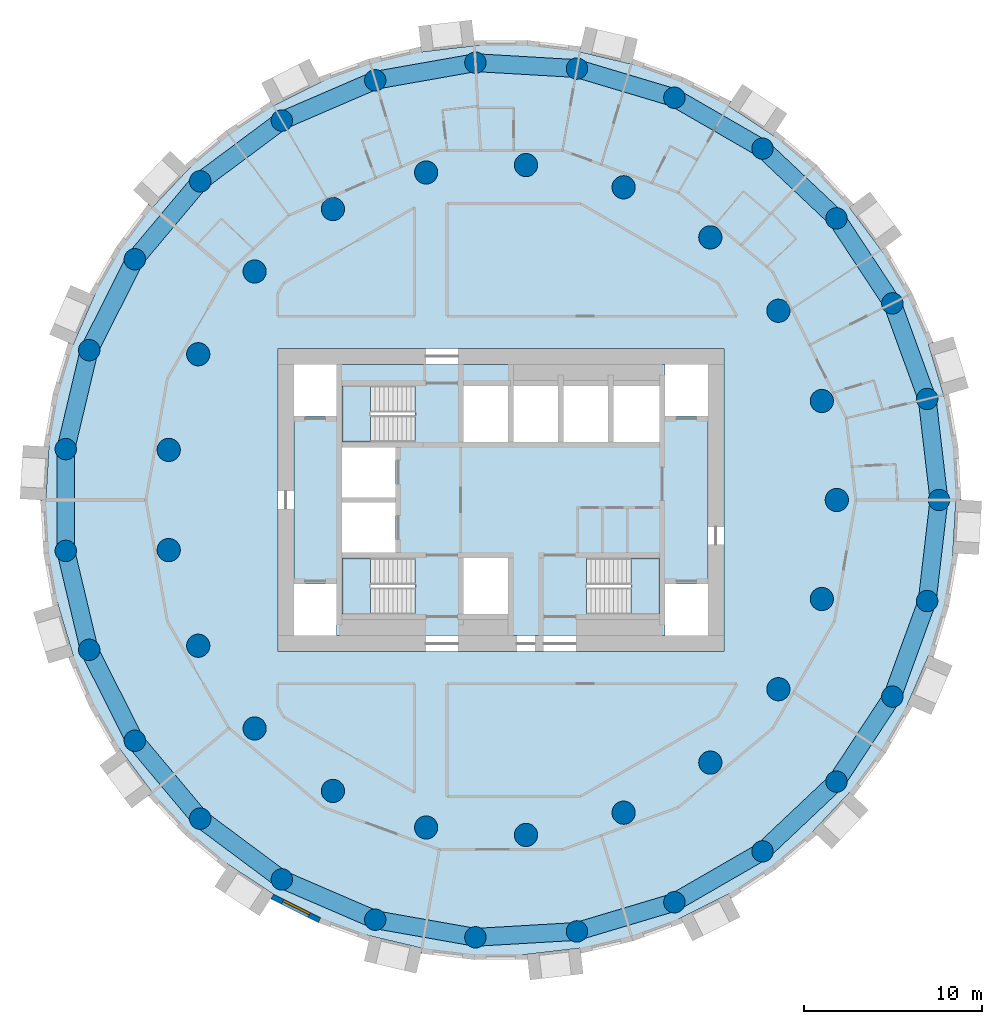
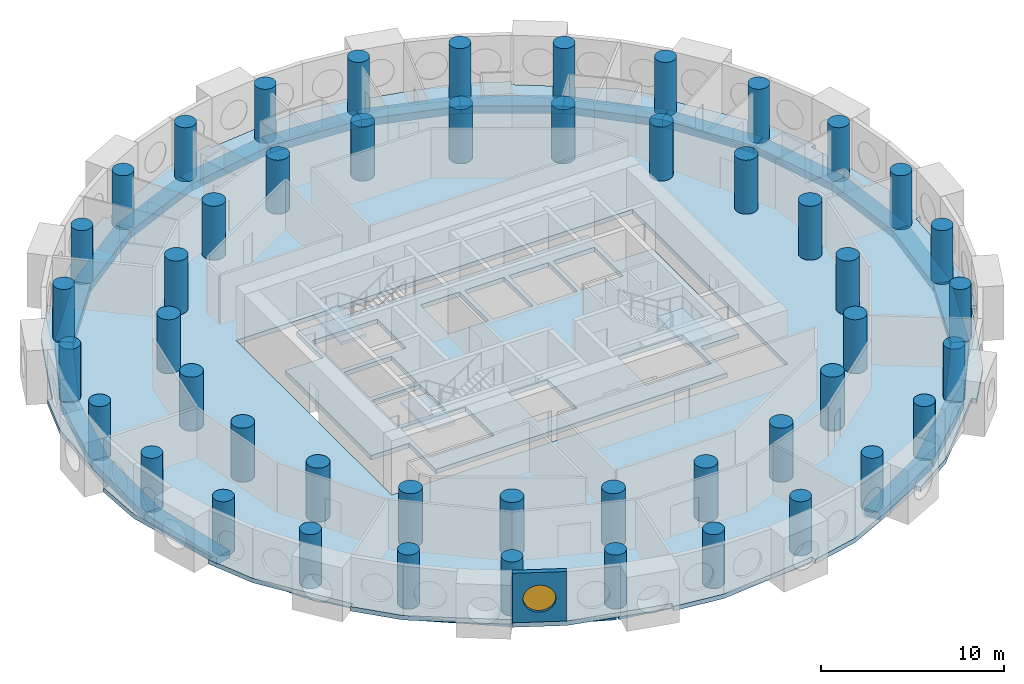
# One storey, part 1 of 10: 48 columns, 27 beams, 5 slabs, 1 wall, 1 window, 1 opening, 3 elements without a shape of their own.
"""IFC4 building model written with IfcOpenShell, lengths in metres."""

from ifc_helpers import new_model, si_unit, direction, frame, frame_2d, origin, origin_2d, place, context, subcontext, project, spatial, polyline, rectangle, circle, outline, extrude, material, layer, layer_set, material_profile, profile_set, type_object, element, fill, aggregate, save


model = new_model("IFC4")

# Units and contexts
model_context = context("Model", 3, precision=1e-05, world=origin(), true_north=direction((0.0, 1.0)))
body_context = subcontext(model_context, "Body", "Model", "MODEL_VIEW")
ifc_project = project(units=[si_unit("LENGTHUNIT", "METRE"), si_unit("AREAUNIT", "SQUARE_METRE"), si_unit("VOLUMEUNIT", "CUBIC_METRE"), si_unit("PLANEANGLEUNIT", "RADIAN"), si_unit("MASSUNIT", "GRAM", prefix="KILO")], contexts=[model_context])

# Site, building, storey
site_placement = place(None, origin())
site = spatial("IfcSite", under=ifc_project, at=site_placement, CompositionType="ELEMENT")
building_placement = place(site_placement, origin())
building = spatial("IfcBuilding", under=site, at=building_placement, Name="Tracery Tower", CompositionType="ELEMENT")
storey_placement = place(building_placement, frame((0.0, 0.0, 133.199951171875)))
storey = spatial("IfcBuildingStorey", under=building, at=storey_placement, Name="L33", CompositionType="ELEMENT", Elevation=133.199951171875)

# Columns
ifc_material_1 = material(Name="Concrete C50/60", Category="concrete")
ifc_material_profile_1 = material_profile(ifc_material_1, circle(Radius=0.60009765625, at=origin_2d()), Name="RC D1200")
ifc_profile_set_1 = profile_set([ifc_material_profile_1], Name="Concrete C50/60")
column_type_1 = type_object("IfcColumnType", Name="Ring 1 column 1200", PredefinedType="COLUMN", material=ifc_profile_set_1)
for number, where, z_axis, x_axis, name in (
    (1, (24.547607421875, 0.0, 0.0), (0.0, 0.0, 1.0), (1.0, 0.0, 0.0), "Ring 1 column 00 at L33"),
    (2, (23.885986328125, 5.6611328125, 0.0), (0.0, 0.0, 1.0), (1.0, 0.0, 0.0), "Ring 1 column 01 at L33"),
    (3, (21.9365234375, 11.01708984375, 0.0), (0.0, 0.0, 1.0), (1.0, 0.0, 0.0), "Ring 1 column 02 at L33"),
    (4, (18.8046875, 15.779052734375, 0.0), (0.0, 0.0, 1.0), (1.0, 0.0, 0.0), "Ring 1 column 03 at L33"),
    (5, (14.658935546875, 19.690185546875, 0.0), (0.0, 0.0, 1.0), (1.0, 0.0, 0.0), "Ring 1 column 04 at L33"),
    (6, (9.722900390625, 22.5400390625, 0.0), (0.0, 0.0, 1.0), (1.0, 0.0, 0.0), "Ring 1 column 05 at L33"),
    (7, (4.2626953125, 24.1748046875, 0.0), (0.0, 0.0, 1.0), (1.0, 0.0, 0.0), "Ring 1 column 06 at L33"),
    (8, (-1.42724609375, 24.506103515625, 0.0), (0.0, 0.0, 1.0), (1.0, 0.0, 0.0), "Ring 1 column 07 at L33"),
    (9, (-7.040283203125, 23.516357421875, 0.0), (0.0, 0.0, 1.0), (1.0, 0.0, 0.0), "Ring 1 column 08 at L33"),
    (10, (-12.273681640625, 21.2587890625, 0.0), (0.0, 0.0, 1.0), (1.0, 0.0, 0.0), "Ring 1 column 09 at L33"),
    (11, (-16.845703125, 17.855224609375, 0.0), (0.0, 0.0, 1.0), (1.0, 0.0, 0.0), "Ring 1 column 10 at L33"),
    (12, (-20.50927734375, 13.4892578125, 0.0), (0.0, 0.0, 1.0), (1.0, 0.0, 0.0), "Ring 1 column 11 at L33"),
    (13, (-23.0673828125, 8.395751953125, 0.0), (0.0, 0.0, 1.0), (1.0, 0.0, 0.0), "Ring 1 column 12 at L33"),
    (14, (-24.381591796875, 2.849853515625, 0.0), (0.0, 0.0, 1.0), (1.0, 0.0, 0.0), "Ring 1 column 13 at L33"),
    (15, (-24.381591796875, -2.849853515625, 0.0), (0.0, 0.0, 1.0), (1.0, 0.0, 0.0), "Ring 1 column 14 at L33"),
    (16, (-23.0673828125, -8.395751953125, 0.0), (0.0, 0.0, 1.0), (1.0, 0.0, 0.0), "Ring 1 column 15 at L33"),
    (17, (-20.50927734375, -13.4892578125, 0.0), (0.0, 0.0, 1.0), (1.0, 0.0, 0.0), "Ring 1 column 16 at L33"),
    (18, (-16.845703125, -17.85546875, 0.0), (0.0, 0.0, 1.0), (1.0, 0.0, 0.0), "Ring 1 column 17 at L33"),
    (19, (-12.27392578125, -21.2587890625, 0.0), (0.0, 0.0, 1.0), (1.0, 0.0, 0.0), "Ring 1 column 18 at L33"),
    (20, (-7.040283203125, -23.516357421875, 0.0), (0.0, 0.0, 1.0), (1.0, 0.0, 0.0), "Ring 1 column 19 at L33"),
    (21, (-1.42724609375, -24.506103515625, 0.0), (0.0, 0.0, 1.0), (1.0, 0.0, 0.0), "Ring 1 column 20 at L33"),
    (22, (4.2626953125, -24.1748046875, 0.0), (0.0, 0.0, 1.0), (1.0, 0.0, 0.0), "Ring 1 column 21 at L33"),
    (23, (9.722900390625, -22.5400390625, 0.0), (0.0, 0.0, 1.0), (1.0, 0.0, 0.0), "Ring 1 column 22 at L33"),
    (24, (14.658935546875, -19.690185546875, 0.0), (0.0, 0.0, 1.0), (1.0, 0.0, 0.0), "Ring 1 column 23 at L33"),
    (25, (18.8046875, -15.779052734375, 0.0), (0.0, 0.0, 1.0), (1.0, 0.0, 0.0), "Ring 1 column 24 at L33"),
    (26, (21.9365234375, -11.01708984375, 0.0), (0.0, 0.0, 1.0), (1.0, 0.0, 0.0), "Ring 1 column 25 at L33"),
    (27, (23.885986328125, -5.6611328125, 0.0), (0.0, 0.0, 1.0), (1.0, 0.0, 0.0), "Ring 1 column 26 at L33"),
):
    element("IfcColumn", number, at=place(storey_placement, frame(where, z_axis=z_axis, x_axis=x_axis)), inside=storey, type_object=column_type_1, Name=name, PredefinedType="COLUMN", context=body_context, shape_type="SweptSolid", body=[
        extrude(circle(Radius=0.60009765625, at=origin_2d()), origin(), (0.0, 0.0, 1.0), 3.60009765625),
    ])
ifc_material_2 = material(Name="Concrete C50/60", Category="concrete")
ifc_material_profile_2 = material_profile(ifc_material_2, circle(Radius=0.64990234375, at=origin_2d()), Name="RC D1300")
ifc_profile_set_2 = profile_set([ifc_material_profile_2], Name="Concrete C50/60")
column_type_2 = type_object("IfcColumnType", Name="Ring 2 column 1300", PredefinedType="COLUMN", material=ifc_profile_set_2)
for number, where, z_axis, x_axis, name in (
    (28, (18.822265625, 0.0, 0.0), (0.0, 0.0, 1.0), (1.0, 0.0, 0.0), "Ring 2 column 00 at L33"),
    (29, (17.986083984375, 5.5478515625, 0.0), (0.0, 0.0, 1.0), (1.0, 0.0, 0.0), "Ring 2 column 01 at L33"),
    (30, (15.551513671875, 10.602783203125, 0.0), (0.0, 0.0, 1.0), (1.0, 0.0, 0.0), "Ring 2 column 02 at L33"),
    (31, (11.7353515625, 14.7158203125, 0.0), (0.0, 0.0, 1.0), (1.0, 0.0, 0.0), "Ring 2 column 03 at L33"),
    (32, (6.87646484375, 17.52099609375, 0.0), (0.0, 0.0, 1.0), (1.0, 0.0, 0.0), "Ring 2 column 04 at L33"),
    (33, (1.406494140625, 18.76953125, 0.0), (0.0, 0.0, 1.0), (1.0, 0.0, 0.0), "Ring 2 column 05 at L33"),
    (34, (-4.188232421875, 18.350341796875, 0.0), (0.0, 0.0, 1.0), (1.0, 0.0, 0.0), "Ring 2 column 06 at L33"),
    (35, (-9.4111328125, 16.300537109375, 0.0), (0.0, 0.0, 1.0), (1.0, 0.0, 0.0), "Ring 2 column 07 at L33"),
    (36, (-13.797607421875, 12.802490234375, 0.0), (0.0, 0.0, 1.0), (1.0, 0.0, 0.0), "Ring 2 column 08 at L33"),
    (37, (-16.958251953125, 8.16650390625, 0.0), (0.0, 0.0, 1.0), (1.0, 0.0, 0.0), "Ring 2 column 09 at L33"),
    (38, (-18.612060546875, 2.805419921875, 0.0), (0.0, 0.0, 1.0), (1.0, 0.0, 0.0), "Ring 2 column 10 at L33"),
    (39, (-18.612060546875, -2.805419921875, 0.0), (0.0, 0.0, 1.0), (1.0, 0.0, 0.0), "Ring 2 column 11 at L33"),
    (40, (-16.958251953125, -8.166748046875, 0.0), (0.0, 0.0, 1.0), (1.0, 0.0, 0.0), "Ring 2 column 12 at L33"),
    (41, (-13.797607421875, -12.80224609375, 0.0), (0.0, 0.0, 1.0), (1.0, 0.0, 0.0), "Ring 2 column 13 at L33"),
    (42, (-9.4111328125, -16.300537109375, 0.0), (0.0, 0.0, 1.0), (1.0, 0.0, 0.0), "Ring 2 column 14 at L33"),
    (43, (-4.188232421875, -18.350341796875, 0.0), (0.0, 0.0, 1.0), (1.0, 0.0, 0.0), "Ring 2 column 15 at L33"),
    (44, (1.406494140625, -18.76953125, 0.0), (0.0, 0.0, 1.0), (1.0, 0.0, 0.0), "Ring 2 column 16 at L33"),
    (45, (6.87646484375, -17.52099609375, 0.0), (0.0, 0.0, 1.0), (1.0, 0.0, 0.0), "Ring 2 column 17 at L33"),
    (46, (11.7353515625, -14.7158203125, 0.0), (0.0, 0.0, 1.0), (1.0, 0.0, 0.0), "Ring 2 column 18 at L33"),
    (47, (15.551513671875, -10.602783203125, 0.0), (0.0, 0.0, 1.0), (1.0, 0.0, 0.0), "Ring 2 column 19 at L33"),
    (48, (17.986083984375, -5.5478515625, 0.0), (0.0, 0.0, 1.0), (1.0, 0.0, 0.0), "Ring 2 column 20 at L33"),
):
    element("IfcColumn", number, at=place(storey_placement, frame(where, z_axis=z_axis, x_axis=x_axis)), inside=storey, type_object=column_type_2, Name=name, PredefinedType="COLUMN", context=body_context, shape_type="SweptSolid", body=[
        extrude(circle(Radius=0.64990234375, at=origin_2d()), origin(), (0.0, 0.0, 1.0), 3.60009765625),
    ])

# Beams
ifc_material_3 = material(Name="Concrete C50/60", Category="concrete")
ifc_material_profile_3 = material_profile(ifc_material_3, rectangle(XDim=1.0, YDim=0.5, at=origin_2d()), Name="RC 1000x500")
ifc_profile_set_3 = profile_set([ifc_material_profile_3], Name="Concrete C50/60")
beam_type = type_object("IfcBeamType", Name="Perimeter band beam 1000x500", PredefinedType="BEAM", material=ifc_profile_set_3)
for number, where, z_axis, x_axis, name in (
    (49, (24.547607421875, 0.0, -0.550048828125), (-0.116080723252, 0.993239782575, 0.0), (-0.993239782575, -0.116080723252, 0.0), "Perimeter beam 1.00 under L33"),
    (50, (23.885986328125, 5.6611328125, -0.550048828125), (-0.342028502279, 0.939689578334, 0.0), (-0.939689578334, -0.342028502279, 0.0), "Perimeter beam 1.01 under L33"),
):
    element("IfcBeam", number, at=place(storey_placement, frame(where, z_axis=z_axis, x_axis=x_axis)), inside=storey, type_object=beam_type, Name=name, PredefinedType="BEAM", context=body_context, shape_type="SweptSolid", body=[
        extrude(rectangle(XDim=1.0, YDim=0.5, at=origin_2d()), origin(), (0.0, 0.0, 1.0), 5.69970703125),
    ])
for number, where, z_axis, x_axis, name in (
    (51, (21.9365234375, 11.01708984375, -0.550048828125), (-0.549489832182, 0.835500403548, 0.0), (-0.835500403548, -0.549489832182, 0.0), "Perimeter beam 1.02 under L33"),
    (52, (18.8046875, 15.779052734375, -0.550048828125), (-0.727389618263, 0.686224703172, 0.0), (-0.686224703172, -0.727389618263, 0.0), "Perimeter beam 1.03 under L33"),
):
    element("IfcBeam", number, at=place(storey_placement, frame(where, z_axis=z_axis, x_axis=x_axis)), inside=storey, type_object=beam_type, Name=name, PredefinedType="BEAM", context=body_context, shape_type="SweptSolid", body=[
        extrude(rectangle(XDim=1.0, YDim=0.5, at=origin_2d()), origin(), (0.0, 0.0, 1.0), 5.699462890625),
    ])
for number, where, z_axis, x_axis, name in (
    (53, (14.658935546875, 19.690185546875, -0.550048828125), (-0.866022950691, 0.500004248858, 0.0), (-0.500004248858, -0.866022950691, 0.0), "Perimeter beam 1.04 under L33"),
    (54, (9.722900390625, 22.5400390625, -0.550048828125), (-0.957985292634, 0.28681732705, 0.0), (-0.28681732705, -0.957985292634, 0.0), "Perimeter beam 1.05 under L33"),
):
    element("IfcBeam", number, at=place(storey_placement, frame(where, z_axis=z_axis, x_axis=x_axis)), inside=storey, type_object=beam_type, Name=name, PredefinedType="BEAM", context=body_context, shape_type="SweptSolid", body=[
        extrude(rectangle(XDim=1.0, YDim=0.5, at=origin_2d()), origin(), (0.0, 0.0, 1.0), 5.69970703125),
    ])
beam_1_placement = place(storey_placement, frame((4.2626953125, 24.1748046875, -0.550048828125), z_axis=(-0.99830920221, 0.058126902403, 0.0), x_axis=(-0.058126902403, -0.99830920221, 0.0)))
element("IfcBeam", 55, at=beam_1_placement, inside=storey, type_object=beam_type, Name="Perimeter beam 1.06 under L33", PredefinedType="BEAM", context=body_context, shape_type="SweptSolid", body=[
    extrude(rectangle(XDim=1.0, YDim=0.5, at=origin_2d()), origin(), (0.0, 0.0, 1.0), 5.699462890625),
])
beam_2_placement = place(storey_placement, frame((-1.42724609375, 24.506103515625, -0.550048828125), z_axis=(-0.984807266719, -0.173650935552, 0.0), x_axis=(0.173650935552, -0.984807266719, 0.0)))
element("IfcBeam", 56, at=beam_2_placement, inside=storey, type_object=beam_type, Name="Perimeter beam 1.07 under L33", PredefinedType="BEAM", context=body_context, shape_type="SweptSolid", body=[
    extrude(rectangle(XDim=1.0, YDim=0.5, at=origin_2d()), origin(), (0.0, 0.0, 1.0), 5.69970703125),
])
beam_3_placement = place(storey_placement, frame((-7.040283203125, 23.516357421875, -0.550048828125), z_axis=(-0.918209685525, -0.396094652083, 0.0), x_axis=(0.396094652083, -0.918209685525, 0.0)))
element("IfcBeam", 57, at=beam_3_placement, inside=storey, type_object=beam_type, Name="Perimeter beam 1.08 under L33", PredefinedType="BEAM", context=body_context, shape_type="SweptSolid", body=[
    extrude(rectangle(XDim=1.0, YDim=0.5, at=origin_2d()), origin(), (0.0, 0.0, 1.0), 5.699462890625),
])
beam_4_placement = place(storey_placement, frame((-12.273681640625, 21.2587890625, -0.550048828125), z_axis=(-0.802138271299, -0.59713833717, 0.0), x_axis=(0.59713833717, -0.802138271299, 0.0)))
element("IfcBeam", 58, at=beam_4_placement, inside=storey, type_object=beam_type, Name="Perimeter beam 1.09 under L33", PredefinedType="BEAM", context=body_context, shape_type="SweptSolid", body=[
    extrude(rectangle(XDim=1.0, YDim=0.5, at=origin_2d()), origin(), (0.0, 0.0, 1.0), 5.69970703125),
])
beam_5_placement = place(storey_placement, frame((-16.845703125, 17.855224609375, -0.550048828125), z_axis=(-0.642797194343, -0.766036400535, 0.0), x_axis=(0.766036400535, -0.642797194343, 0.0)))
element("IfcBeam", 59, at=beam_5_placement, inside=storey, type_object=beam_type, Name="Perimeter beam 1.10 under L33", PredefinedType="BEAM", context=body_context, shape_type="SweptSolid", body=[
    extrude(rectangle(XDim=1.0, YDim=0.5, at=origin_2d()), origin(), (0.0, 0.0, 1.0), 5.699462890625),
])
beam_6_placement = place(storey_placement, frame((-20.50927734375, 13.4892578125, -0.550048828125), z_axis=(-0.448806280933, -0.893629074166, 0.0), x_axis=(0.893629074166, -0.448806280933, 0.0)))
element("IfcBeam", 60, at=beam_6_placement, inside=storey, type_object=beam_type, Name="Perimeter beam 1.11 under L33", PredefinedType="BEAM", context=body_context, shape_type="SweptSolid", body=[
    extrude(rectangle(XDim=1.0, YDim=0.5, at=origin_2d()), origin(), (0.0, 0.0, 1.0), 5.69970703125),
])
beam_7_placement = place(storey_placement, frame((-23.0673828125, 8.395751953125, -0.550048828125), z_axis=(-0.230583793756, -0.973052472407, 0.0), x_axis=(0.973052472407, -0.230583793756, 0.0)))
element("IfcBeam", 61, at=beam_7_placement, inside=storey, type_object=beam_type, Name="Perimeter beam 1.12 under L33", PredefinedType="BEAM", context=body_context, shape_type="SweptSolid", body=[
    extrude(rectangle(XDim=1.0, YDim=0.5, at=origin_2d()), origin(), (0.0, 0.0, 1.0), 5.699462890625),
])
beam_8_placement = place(storey_placement, frame((-24.381591796875, 2.849853515625, -0.550048828125), z_axis=(0.0, -1.0, 0.0), x_axis=(1.0, 0.0, 0.0)))
element("IfcBeam", 62, at=beam_8_placement, inside=storey, type_object=beam_type, Name="Perimeter beam 1.13 under L33", PredefinedType="BEAM", context=body_context, shape_type="SweptSolid", body=[
    extrude(rectangle(XDim=1.0, YDim=0.5, at=origin_2d()), origin(), (0.0, 0.0, 1.0), 5.69970703125),
])
beam_9_placement = place(storey_placement, frame((-24.381591796875, -2.849853515625, -0.550048828125), z_axis=(0.230583793756, -0.973052472407, 0.0), x_axis=(0.973052472407, 0.230583793756, 0.0)))
element("IfcBeam", 63, at=beam_9_placement, inside=storey, type_object=beam_type, Name="Perimeter beam 1.14 under L33", PredefinedType="BEAM", context=body_context, shape_type="SweptSolid", body=[
    extrude(rectangle(XDim=1.0, YDim=0.5, at=origin_2d()), origin(), (0.0, 0.0, 1.0), 5.699462890625),
])
for number, where, z_axis, x_axis, name in (
    (64, (-23.0673828125, -8.395751953125, -0.550048828125), (0.448806280933, -0.893629074166, 0.0), (0.893629074166, 0.448806280933, 0.0), "Perimeter beam 1.15 under L33"),
    (65, (-20.50927734375, -13.4892578125, -0.550048828125), (0.64277610208, -0.766054099, 0.0), (0.766054099, 0.64277610208, 0.0), "Perimeter beam 1.16 under L33"),
):
    element("IfcBeam", number, at=place(storey_placement, frame(where, z_axis=z_axis, x_axis=x_axis)), inside=storey, type_object=beam_type, Name=name, PredefinedType="BEAM", context=body_context, shape_type="SweptSolid", body=[
        extrude(rectangle(XDim=1.0, YDim=0.5, at=origin_2d()), origin(), (0.0, 0.0, 1.0), 5.69970703125),
    ])
beam_10_placement = place(storey_placement, frame((-16.845703125, -17.85546875, -0.550048828125), z_axis=(0.802143514942, -0.597131293298, 0.0), x_axis=(0.597131293298, 0.802143514942, 0.0)))
element("IfcBeam", 66, at=beam_10_placement, inside=storey, type_object=beam_type, Name="Perimeter beam 1.17 under L33", PredefinedType="BEAM", context=body_context, shape_type="SweptSolid", body=[
    extrude(rectangle(XDim=1.0, YDim=0.5, at=origin_2d()), origin(), (0.0, 0.0, 1.0), 5.699462890625),
])
for number, where, z_axis, x_axis, name in (
    (67, (-12.27392578125, -21.2587890625, -0.550048828125), (0.918216405543, -0.39607907366, 0.0), (0.39607907366, 0.918216405543, 0.0), "Perimeter beam 1.18 under L33"),
    (68, (-7.040283203125, -23.516357421875, -0.550048828125), (0.984807266719, -0.173650935552, 0.0), (0.173650935552, 0.984807266719, 0.0), "Perimeter beam 1.19 under L33"),
):
    element("IfcBeam", number, at=place(storey_placement, frame(where, z_axis=z_axis, x_axis=x_axis)), inside=storey, type_object=beam_type, Name=name, PredefinedType="BEAM", context=body_context, shape_type="SweptSolid", body=[
        extrude(rectangle(XDim=1.0, YDim=0.5, at=origin_2d()), origin(), (0.0, 0.0, 1.0), 5.69970703125),
    ])
beam_11_placement = place(storey_placement, frame((-1.42724609375, -24.506103515625, -0.550048828125), z_axis=(0.99830920221, 0.058126902403, 0.0), x_axis=(-0.058126902403, 0.99830920221, 0.0)))
element("IfcBeam", 69, at=beam_11_placement, inside=storey, type_object=beam_type, Name="Perimeter beam 1.20 under L33", PredefinedType="BEAM", context=body_context, shape_type="SweptSolid", body=[
    extrude(rectangle(XDim=1.0, YDim=0.5, at=origin_2d()), origin(), (0.0, 0.0, 1.0), 5.699462890625),
])
for number, where, z_axis, x_axis, name in (
    (70, (4.2626953125, -24.1748046875, -0.550048828125), (0.957985292634, 0.28681732705, 0.0), (-0.28681732705, 0.957985292634, 0.0), "Perimeter beam 1.21 under L33"),
    (71, (9.722900390625, -22.5400390625, -0.550048828125), (0.866022950691, 0.500004248858, 0.0), (-0.500004248858, 0.866022950691, 0.0), "Perimeter beam 1.22 under L33"),
):
    element("IfcBeam", number, at=place(storey_placement, frame(where, z_axis=z_axis, x_axis=x_axis)), inside=storey, type_object=beam_type, Name=name, PredefinedType="BEAM", context=body_context, shape_type="SweptSolid", body=[
        extrude(rectangle(XDim=1.0, YDim=0.5, at=origin_2d()), origin(), (0.0, 0.0, 1.0), 5.69970703125),
    ])
for number, where, z_axis, x_axis, name in (
    (72, (14.658935546875, -19.690185546875, -0.550048828125), (0.727389618263, 0.686224703172, 0.0), (-0.686224703172, 0.727389618263, 0.0), "Perimeter beam 1.23 under L33"),
    (73, (18.8046875, -15.779052734375, -0.550048828125), (0.549489832182, 0.835500403548, 0.0), (-0.835500403548, 0.549489832182, 0.0), "Perimeter beam 1.24 under L33"),
):
    element("IfcBeam", number, at=place(storey_placement, frame(where, z_axis=z_axis, x_axis=x_axis)), inside=storey, type_object=beam_type, Name=name, PredefinedType="BEAM", context=body_context, shape_type="SweptSolid", body=[
        extrude(rectangle(XDim=1.0, YDim=0.5, at=origin_2d()), origin(), (0.0, 0.0, 1.0), 5.699462890625),
    ])
for number, where, z_axis, x_axis, name in (
    (74, (21.9365234375, -11.01708984375, -0.550048828125), (0.342028502279, 0.939689578334, 0.0), (-0.939689578334, 0.342028502279, 0.0), "Perimeter beam 1.25 under L33"),
    (75, (23.885986328125, -5.6611328125, -0.550048828125), (0.116080723252, 0.993239782575, 0.0), (-0.993239782575, 0.116080723252, 0.0), "Perimeter beam 1.26 under L33"),
):
    element("IfcBeam", number, at=place(storey_placement, frame(where, z_axis=z_axis, x_axis=x_axis)), inside=storey, type_object=beam_type, Name=name, PredefinedType="BEAM", context=body_context, shape_type="SweptSolid", body=[
        extrude(rectangle(XDim=1.0, YDim=0.5, at=origin_2d()), origin(), (0.0, 0.0, 1.0), 5.69970703125),
    ])

# Slabs
ifc_material_4 = material(Name="Concrete C50/60", Category="concrete")
ifc_layer_1 = layer(ifc_material_4, 0.300048828125)
ifc_layer_set_1 = layer_set([ifc_layer_1], Name="Core floor slab 300 C50")
slab_type_1 = type_object("IfcSlabType", Name="Core floor slab 300 C50", PredefinedType="FLOOR", material=ifc_layer_set_1)
slab_1_placement = place(storey_placement, frame((0.0, 0.0, -0.300048828125)))
element("IfcSlab", 76, at=slab_1_placement, inside=storey, type_object=slab_type_1, Name="L33 core floor 1", PredefinedType="FLOOR", context=body_context, shape_type="SweptSolid", body=[
    extrude(outline(polyline([(-9.199951171875, 7.60009765625), (9.199951171875, 7.60009765625), (9.199951171875, 4.699951171875), (11.60009765625, 4.699951171875), (11.60009765625, -4.699951171875), (9.199951171875, -4.699951171875), (9.199951171875, -7.60009765625), (-9.199951171875, -7.60009765625), (-9.199951171875, -4.699951171875), (-11.60009765625, -4.699951171875), (-11.60009765625, 4.699951171875), (-9.199951171875, 4.699951171875), (-9.199951171875, 7.60009765625)]), holes=[polyline([(4.800537109375, -6.39990234375), (8.89990234375, -6.39990234375), (8.89990234375, -3.25), (4.800537109375, -3.25), (4.800537109375, -6.39990234375)]), polyline([(8.89990234375, 3.25), (8.89990234375, 6.39990234375), (6.300048828125, 6.39990234375), (6.300048828125, 3.25), (8.89990234375, 3.25)]), polyline([(6.0, 3.25), (6.0, 6.39990234375), (3.5, 6.39990234375), (3.5, 3.25), (6.0, 3.25)]), polyline([(3.199951171875, 3.25), (3.199951171875, 6.39990234375), (0.699951171875, 6.39990234375), (0.699951171875, 3.25), (3.199951171875, 3.25)]), polyline([(-2.10009765625, 3.25), (0.39990234375, 3.25), (0.39990234375, 6.39990234375), (-2.10009765625, 6.39990234375), (-2.10009765625, 3.25)]), polyline([(0.39990234375, -6.39990234375), (0.39990234375, -3.25), (-2.10009765625, -3.25), (-2.10009765625, -6.39990234375), (0.39990234375, -6.39990234375)]), polyline([(-4.800537109375, -3.25), (-8.89990234375, -3.25), (-8.89990234375, -6.39990234375), (-4.800537109375, -6.39990234375), (-4.800537109375, -3.25)]), polyline([(-4.800537109375, 6.39990234375), (-8.89990234375, 6.39990234375), (-8.89990234375, 3.25), (-4.800537109375, 3.25), (-4.800537109375, 6.39990234375)]), polyline([(-5.89990234375, -2.949951171875), (-5.89990234375, -0.14990234375), (-8.89990234375, -0.14990234375), (-8.89990234375, -2.949951171875), (-5.89990234375, -2.949951171875)]), polyline([(-5.89990234375, 0.14990234375), (-5.89990234375, 2.949951171875), (-8.89990234375, 2.949951171875), (-8.89990234375, 0.14990234375), (-5.89990234375, 0.14990234375)])]), origin(), (0.0, 0.0, 1.0), 0.300048828125),
])
ifc_material_5 = material(Name="Concrete C40/50", Category="concrete")
ifc_layer_2 = layer(ifc_material_5, 0.300048828125)
ifc_layer_set_2 = layer_set([ifc_layer_2], Name="Floor slab 300")
slab_type_2 = type_object("IfcSlabType", Name="Floor slab 300", PredefinedType="FLOOR", material=ifc_layer_set_2)
slab_2_placement = place(storey_placement, frame((0.0, 0.0, -0.300048828125)))
element("IfcSlab", 77, at=slab_2_placement, inside=storey, type_object=slab_type_2, Name="Floor slab L33", PredefinedType="FLOOR", context=body_context, shape_type="SweptSolid", body=[
    extrude(outline(polyline([(24.809814453125, 5.8798828125), (24.694580078125, 6.265380859375), (23.95947265625, 8.720703125), (23.95947265625, 8.720703125), (23.95458984375, 8.7373046875), (24.241943359375, 8.8232421875), (23.0537109375, 11.577880859375), (21.302490234375, 14.010986328125), (20.657958984375, 14.876953125), (19.521484375, 16.4033203125), (19.76220703125, 16.58251953125), (17.70361328125, 18.7646484375), (15.227294921875, 20.450927734375), (13.4443359375, 21.623779296875), (12.74853515625, 22.081298828125), (12.74853515625, 22.081298828125), (12.73388671875, 22.0908203125), (12.89892578125, 22.341552734375), (10.218017578125, 23.68798828125), (7.312744140625, 24.426025390625), (4.427490234375, 25.10986328125), (4.427490234375, 25.10986328125), (4.410400390625, 25.114013671875), (4.4794921875, 25.4052734375), (4.479736328125, 25.40576171875), (1.5, 25.754150390625), (-1.47998046875, 25.454345703125), (-3.055908203125, 25.27001953125), (-4.427490234375, 25.10986328125), (-4.427490234375, 25.10986328125), (-4.44482421875, 25.10791015625), (-4.479736328125, 25.40576171875), (-7.39892578125, 24.7138671875), (-10.098876953125, 23.411865234375), (-12.74853515625, 22.081298828125), (-12.74853515625, 22.081298828125), (-12.76416015625, 22.073486328125), (-12.89892578125, 22.341552734375), (-15.4052734375, 20.69287109375), (-17.497314453125, 18.5458984375), (-18.208740234375, 17.791748046875), (-19.5439453125, 16.376708984375), (-19.76171875, 16.581787109375), (-19.76220703125, 16.58251953125), (-21.5537109375, 14.176025390625), (-22.78515625, 11.443115234375), (-23.95947265625, 8.720703125), (-23.95947265625, 8.720703125), (-23.96630859375, 8.70458984375), (-24.241455078125, 8.822998046875), (-24.241943359375, 8.8232421875), (-25.102294921875, 5.949462890625), (-25.32470703125, 2.96044921875), (-25.498291015625, -0.017333984375), (-25.797607421875, 0.0), (-25.797607421875, 0.0), (-25.623291015625, -2.994873046875), (-24.809814453125, -5.8798828125), (-24.694580078125, -6.265380859375), (-23.95947265625, -8.720703125), (-23.95947265625, -8.720703125), (-23.95458984375, -8.7373046875), (-24.241943359375, -8.8232421875), (-23.0537109375, -11.577880859375), (-21.302490234375, -14.010986328125), (-20.657958984375, -14.876953125), (-19.521484375, -16.4033203125), (-19.76220703125, -16.58251953125), (-17.70361328125, -18.7646484375), (-15.227294921875, -20.450927734375), (-13.4443359375, -21.623779296875), (-12.74853515625, -22.081298828125), (-12.74853515625, -22.081298828125), (-12.73388671875, -22.0908203125), (-12.89892578125, -22.341552734375), (-10.218017578125, -23.68798828125), (-7.312744140625, -24.426025390625), (-4.427490234375, -25.10986328125), (-4.427490234375, -25.10986328125), (-4.410400390625, -25.114013671875), (-4.4794921875, -25.4052734375), (-4.479736328125, -25.40576171875), (-1.5, -25.754150390625), (1.47998046875, -25.454345703125), (3.055908203125, -25.27001953125), (4.427490234375, -25.10986328125), (4.427490234375, -25.10986328125), (4.44482421875, -25.10791015625), (4.479736328125, -25.40576171875), (7.39892578125, -24.7138671875), (10.098876953125, -23.411865234375), (12.74853515625, -22.081298828125), (12.74853515625, -22.081298828125), (12.76416015625, -22.073486328125), (12.898681640625, -22.341064453125), (12.89892578125, -22.341552734375), (15.4052734375, -20.69287109375), (17.497314453125, -18.5458984375), (18.208740234375, -17.791748046875), (19.5439453125, -16.376708984375), (19.76171875, -16.581787109375), (19.76220703125, -16.58251953125), (21.5537109375, -14.176025390625), (22.78515625, -11.443115234375), (23.95947265625, -8.720703125), (23.95947265625, -8.720703125), (23.96630859375, -8.70458984375), (24.241455078125, -8.822998046875), (24.241943359375, -8.8232421875), (25.102294921875, -5.949462890625), (25.32470703125, -2.96044921875), (25.498291015625, 0.017333984375), (25.797607421875, 0.0), (25.623291015625, 2.994873046875), (24.809814453125, 5.8798828125)]), holes=[polyline([(-12.5, -8.5), (12.5, -8.5), (12.5, 8.5), (-12.5, 8.5), (-12.5, -8.5)])]), origin(), (0.0, 0.0, 1.0), 0.300048828125),
])

# Stair, slab
ifc_material_6 = material(Name="Concrete C32/40", Category="concrete")
stair_type = type_object("IfcStairType", Name="Core stair 22 risers", PredefinedType="HALF_TURN_STAIR", material=ifc_material_6)
stair_1_placement = place(storey_placement, origin())
stair_1 = element("IfcStair", 78, at=stair_1_placement, inside=storey, type_object=stair_type, Name="L33 stair ST1", PredefinedType="HALF_TURN_STAIR")
ifc_material_7 = material(Name="Concrete C32/40", Category="concrete")
ifc_layer_3 = layer(ifc_material_7, 0.199951171875)
ifc_layer_set_3 = layer_set([ifc_layer_3], Name="Stair landing slab 200")
slab_type_3 = type_object("IfcSlabType", Name="Stair landing slab 200", PredefinedType="LANDING", material=ifc_layer_set_3)
slab_3_placement = place(storey_placement, frame((0.0, 0.0, 1.60009765625)))
slab_3 = element("IfcSlab", 79, at=slab_3_placement, type_object=slab_type_3, Name="ST1 landing 1", PredefinedType="LANDING", context=body_context, shape_type="SweptSolid", body=[
    extrude(outline(polyline([(-7.29931640625, -3.25), (-8.89990234375, -3.25), (-8.89990234375, -6.39990234375), (-7.29931640625, -6.39990234375), (-7.29931640625, -3.25)])), origin(), (0.0, 0.0, 1.0), 0.199951171875),
])
aggregate(stair_1, [slab_3])

stair_2_placement = place(storey_placement, origin())
stair_2 = element("IfcStair", 80, at=stair_2_placement, inside=storey, type_object=stair_type, Name="L33 stair ST3", PredefinedType="HALF_TURN_STAIR")
slab_4_placement = place(storey_placement, frame((0.0, 0.0, 1.60009765625)))
slab_4 = element("IfcSlab", 81, at=slab_4_placement, type_object=slab_type_3, Name="ST3 landing 1", PredefinedType="LANDING", context=body_context, shape_type="SweptSolid", body=[
    extrude(outline(polyline([(-7.29931640625, 6.39990234375), (-8.89990234375, 6.39990234375), (-8.89990234375, 3.25), (-7.29931640625, 3.25), (-7.29931640625, 6.39990234375)])), origin(), (0.0, 0.0, 1.0), 0.199951171875),
])
aggregate(stair_2, [slab_4])

stair_3_placement = place(storey_placement, origin())
stair_3 = element("IfcStair", 82, at=stair_3_placement, inside=storey, type_object=stair_type, Name="L33 stair ST2", PredefinedType="HALF_TURN_STAIR")
slab_5_placement = place(storey_placement, frame((0.0, 0.0, 1.60009765625)))
slab_5 = element("IfcSlab", 83, at=slab_5_placement, type_object=slab_type_3, Name="ST2 landing 1", PredefinedType="LANDING", context=body_context, shape_type="SweptSolid", body=[
    extrude(outline(polyline([(7.29931640625, -6.39990234375), (8.89990234375, -6.39990234375), (8.89990234375, -3.25), (7.29931640625, -3.25), (7.29931640625, -6.39990234375)])), origin(), (0.0, 0.0, 1.0), 0.199951171875),
])
aggregate(stair_3, [slab_5])

# Wall, opening, window
ifc_material_8 = material(Name="Precast concrete C50/60", Category="concrete")
ifc_layer_4 = layer(ifc_material_8, 0.300048828125)
ifc_layer_set_4 = layer_set([ifc_layer_4], Name="Facade panel 3000 x 3300")
wall_type = type_object("IfcWallType", Name="Facade panel 3000 x 3300", PredefinedType="SOLIDWALL", material=ifc_layer_set_4)
wall_placement = place(storey_placement, frame((-12.815185546875, -22.215576171875, 0.0), z_axis=(0.0, 0.0, 1.0), x_axis=(0.893637442555, -0.448789618045, 0.0)))
wall = element("IfcWall", 84, at=wall_placement, inside=storey, type_object=wall_type, Name="Facade panel 37 at L33", PredefinedType="SOLIDWALL", context=body_context, shape_type="SweptSolid", body=[
    extrude(rectangle(XDim=2.972900390625, YDim=0.300048828125, at=frame_2d((1.486328125, 0.0))), origin(), (0.0, 0.0, 1.0), 3.300048828125),
])
opening_placement = place(wall_placement, frame((1.486328125, 0.0, 1.5498046875)))
opening = element("IfcOpeningElement", 85, at=opening_placement, cuts=wall, Name="Opening WN1", PredefinedType="OPENING", context=body_context, shape_type="SweptSolid", body=[
    extrude(circle(Radius=0.9000244140625, at=origin_2d()), frame((0.0, 0.159912109375, 0.0), z_axis=(0.0, -1.0, 0.0), x_axis=(1.0, 0.0, 0.0)), (0.0, 0.0, 1.0), 0.320068359375),
])
ifc_material_9 = material(Name="Aluminium frame with tinted double glazing", Category="aluminium")
window_type = type_object("IfcWindowType", Name="Round window 1800", PartitioningType="SINGLE_PANEL", PredefinedType="WINDOW", material=ifc_material_9)
window_placement = place(opening_placement, origin())
window = element("IfcWindow", 86, at=window_placement, inside=storey, type_object=window_type, Name="Round window 37 at L33", OverallHeight=1.800048828125, OverallWidth=1.800048828125, PartitioningType="SINGLE_PANEL", PredefinedType="WINDOW", context=body_context, shape_type="SweptSolid", body=[
    extrude(circle(Radius=0.9000244140625, at=origin_2d()), frame((0.0, 0.1201171875, 0.0), z_axis=(0.0, -1.0, 0.0), x_axis=(1.0, 0.0, 0.0)), (0.0, 0.0, 1.0), 0.10009765625),
])
fill(opening, window)

save(model, "model.ifc")
